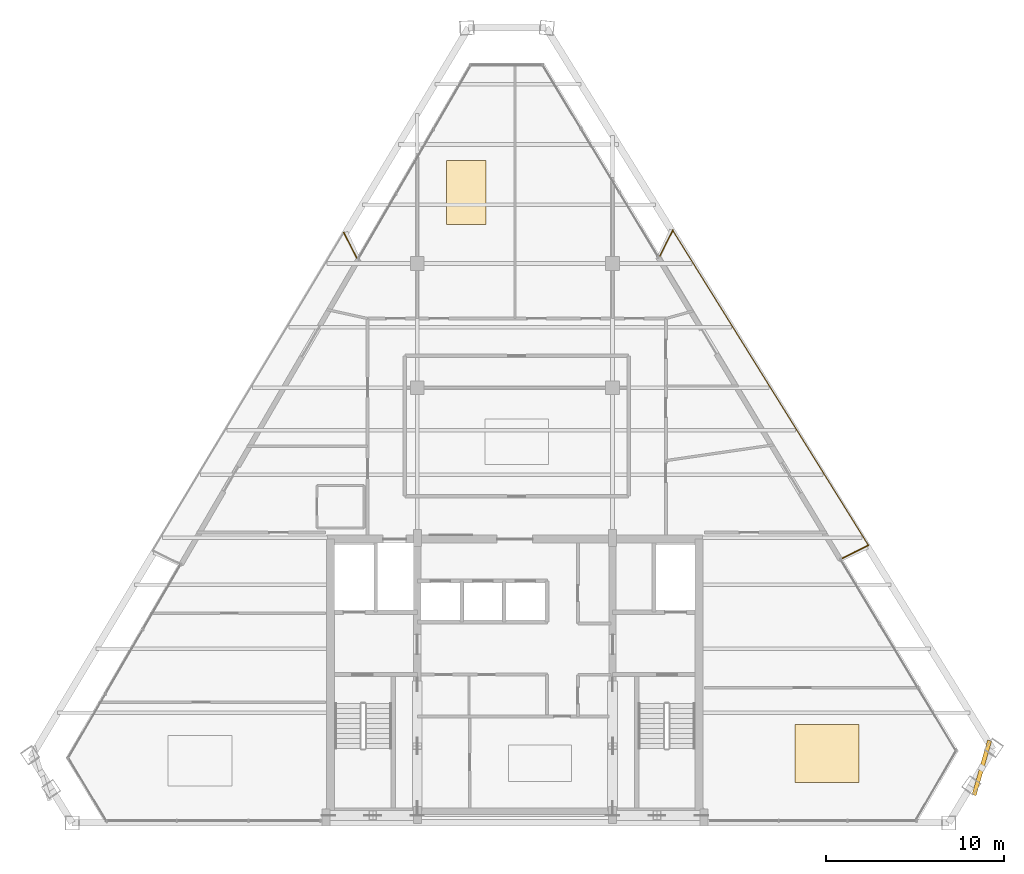
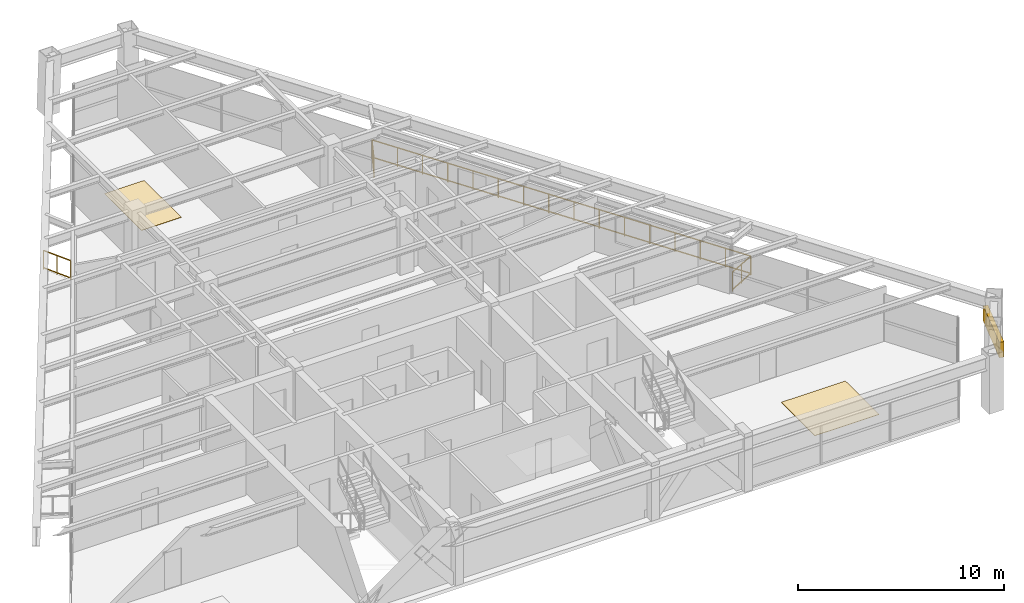
# One storey, part 13 of 13: 4 railings, 2 coverings, 1 shading device.
"""IFC4 building model written with IfcOpenShell, lengths in metres."""

import ifcopenshell
import ifcopenshell.guid

model = None  # the IFC model being written
_history = None  # IfcOwnerHistory: only IFC2X3 demands one
_inside = {}  # id of a spatial element -> (the spatial element, [elements in it])
_under = {}  # id of a project, library or spatial element -> (it, [spatial elements below it])
_declared = {}  # id of a project -> (the project, [libraries it declares])
_typed = {}  # id of a type object -> (the type object, [elements of that type])
_made_of = {}  # id of a material, layer set ... -> (it, [elements and type objects made of it])


def new_model(schema):
    """Start an empty IFC model of exactly this schema.

    Asked for "IFC4X3", IfcOpenShell would pick the latest addendum, in which some entities
    have other attributes; the version numbers below select the first issue.
    IFC2X3 requires an IfcOwnerHistory on every rooted entity: one is made here for all.
    """
    global model, _history
    if schema == "IFC4X3":
        model = ifcopenshell.file(schema_version=(4, 3, 0, 0))
    else:
        model = ifcopenshell.file(schema=schema)
    _inside.clear()
    _under.clear()
    _declared.clear()
    _typed.clear()
    _made_of.clear()
    _history = None
    if model.schema == "IFC2X3":
        org = make("IfcOrganization", Name="unknown")
        user = make(
            "IfcPersonAndOrganization",
            ThePerson=make("IfcPerson", FamilyName="unknown"),
            TheOrganization=org,
        )
        app = make(
            "IfcApplication",
            ApplicationDeveloper=org,
            Version="unknown",
            ApplicationFullName="unknown",
            ApplicationIdentifier="unknown",
        )
        _history = make(
            "IfcOwnerHistory",
            OwningUser=user,
            OwningApplication=app,
            ChangeAction="ADDED",
            CreationDate=0,
        )
    return model


def make(cls, **values):
    """One entity of the class cls with the attributes given. An attribute that is None is left unset."""
    return model.create_entity(
        cls, **{name: value for name, value in values.items() if value is not None}
    )


def rooted(cls, **values):
    """An entity with a GlobalId (a new one), such as an element, a storey or a relation."""
    return make(cls, GlobalId=ifcopenshell.guid.new(), OwnerHistory=_history, **values)


def si_unit(unit_type, name, prefix=None):
    """IfcSIUnit, for example si_unit("LENGTHUNIT", "METRE", prefix="MILLI")."""
    return make("IfcSIUnit", UnitType=unit_type, Prefix=prefix, Name=name)


def assignment(units):
    """IfcUnitAssignment: the units of a project."""
    return None if units is None else make("IfcUnitAssignment", Units=units)


def point(xyz):
    """IfcCartesianPoint."""
    return None if xyz is None else make("IfcCartesianPoint", Coordinates=xyz)


def direction(xyz):
    """IfcDirection."""
    return None if xyz is None else make("IfcDirection", DirectionRatios=xyz)


def frame(location, z_axis=None, x_axis=None):
    """IfcAxis2Placement3D, a coordinate frame: its origin and axes. An axis left out is left unset."""
    return make(
        "IfcAxis2Placement3D",
        Location=point(location),
        Axis=direction(z_axis),
        RefDirection=direction(x_axis),
    )


def frame_2d(location, x_axis=None):
    """IfcAxis2Placement2D, a coordinate frame in the plane: its origin and x axis."""
    return make(
        "IfcAxis2Placement2D", Location=point(location), RefDirection=direction(x_axis)
    )


def origin():
    """The frame at (0, 0, 0) with its axes left unset."""
    return frame((0.0, 0.0, 0.0))


def origin_2d():
    """The frame at (0, 0) in the plane with its x axis left unset."""
    return frame_2d((0.0, 0.0))


def place(relative_to, where):
    """IfcLocalPlacement: puts the frame where relative to a parent placement (None: the world)."""
    return make(
        "IfcLocalPlacement", PlacementRelTo=relative_to, RelativePlacement=where
    )


def context(
    kind, dimensions, precision=None, world=None, true_north=None, identifier=None
):
    """IfcGeometricRepresentationContext, for example the 3D "Model" context."""
    return make(
        "IfcGeometricRepresentationContext",
        ContextIdentifier=identifier,
        ContextType=kind,
        CoordinateSpaceDimension=dimensions,
        Precision=precision,
        WorldCoordinateSystem=world,
        TrueNorth=true_north,
    )


def subcontext(parent, identifier, kind, view, scale=None):
    """IfcGeometricRepresentationSubContext, for example "Body" below "Model"."""
    return make(
        "IfcGeometricRepresentationSubContext",
        ContextIdentifier=identifier,
        ContextType=kind,
        ParentContext=parent,
        TargetScale=scale,
        TargetView=view,
    )


def project(units=None, contexts=None):
    """IfcProject with its units and contexts."""
    return rooted(
        "IfcProject",
        Name="project",
        RepresentationContexts=contexts,
        UnitsInContext=assignment(units),
    )


def spatial(cls, under=None, at=None, **own):
    """A site, building, storey or space (cls), placed at a placement, below another one or the project."""
    s = rooted(cls, ObjectPlacement=at, **own)
    if under is not None:
        _under.setdefault(under.id(), (under, []))[1].append(s)
    return s


def profile(cls, at=None, kind="AREA", **sizes):
    """A parametric profile (cls). Its sizes go by their IFC names, for example OverallWidth=200.0."""
    return make(cls, ProfileType=kind, Position=at, **sizes)


def rectangle(**sizes):
    """IfcRectangleProfileDef."""
    return profile("IfcRectangleProfileDef", **sizes)


def extrude(swept, where, along, depth):
    """IfcExtrudedAreaSolid: the profile swept, set in the frame where, extruded along a direction by depth."""
    return make(
        "IfcExtrudedAreaSolid",
        SweptArea=swept,
        Position=where,
        ExtrudedDirection=direction(along),
        Depth=depth,
    )


def shape(context_of_items, identifier, shape_type, items):
    """IfcShapeRepresentation: the items that make up one representation, for example the "Body"."""
    return make(
        "IfcShapeRepresentation",
        ContextOfItems=context_of_items,
        RepresentationIdentifier=identifier,
        RepresentationType=shape_type,
        Items=items,
    )


def source(mapping_origin, context_of_items, identifier, shape_type, items):
    """IfcRepresentationMap: a shape defined once, which mapped items show again and again."""
    return make(
        "IfcRepresentationMap",
        MappingOrigin=mapping_origin,
        MappedRepresentation=shape(context_of_items, identifier, shape_type, items),
    )


def transform(
    local_origin,
    x_axis=None,
    y_axis=None,
    z_axis=None,
    scale=None,
    scale2=None,
    scale3=None,
    uniform=True,
):
    """IfcCartesianTransformationOperator3D, or its non-uniform kind. x_axis, y_axis, z_axis: its Axis1, 2, 3."""
    if uniform:
        return make(
            "IfcCartesianTransformationOperator3D",
            Axis1=direction(x_axis),
            Axis2=direction(y_axis),
            LocalOrigin=point(local_origin),
            Scale=scale,
            Axis3=direction(z_axis),
        )
    return make(
        "IfcCartesianTransformationOperator3DnonUniform",
        Axis1=direction(x_axis),
        Axis2=direction(y_axis),
        LocalOrigin=point(local_origin),
        Scale=scale,
        Axis3=direction(z_axis),
        Scale2=scale2,
        Scale3=scale3,
    )


def mapped(mapping_source, mapping_target):
    """IfcMappedItem: shows the shape of a source again, moved by a transform."""
    return make(
        "IfcMappedItem", MappingSource=mapping_source, MappingTarget=mapping_target
    )


def material(Name=None, Category=None):
    """IfcMaterial."""
    return make("IfcMaterial", Name=Name, Category=Category)


def layer(
    of_material, thickness, ventilated=None, Name=None, Category=None, Priority=None
):
    """IfcMaterialLayer: one layer of a wall or slab, of a material (None: an air gap)."""
    return make(
        "IfcMaterialLayer",
        Material=of_material,
        LayerThickness=thickness,
        IsVentilated=ventilated,
        Name=Name,
        Category=Category,
        Priority=Priority,
    )


def layer_set(layers, Name=None):
    """IfcMaterialLayerSet."""
    return make("IfcMaterialLayerSet", MaterialLayers=layers, LayerSetName=Name)


def made_of(thing, what):
    """Note that an element or type object is made of a material, layer set ...; save() writes the relation."""
    if what is not None:
        _made_of.setdefault(what.id(), (what, []))[1].append(thing)
    return thing


def type_object(cls, material=None, **own):
    """A type object (cls), such as IfcWallType, which elements share."""
    return made_of(rooted(cls, **own), material)


def type_shapes(of_type, sources):
    """Give a type object the sources (RepresentationMaps) that its elements show as mapped items."""
    of_type.RepresentationMaps = sources


def element(
    cls,
    number,
    at=None,
    inside=None,
    cuts=None,
    type_object=None,
    material=None,
    context=None,
    identifier="Body",
    shape_type=None,
    held_by="IfcProductDefinitionShape",
    body=None,
    shapes=None,
    **own,
):
    """One element of the class cls, such as IfcWall. Its Tag is "e" and its number.

    at: its placement. inside: the storey or other place that contains it. cuts: it is an
    opening in that element (IfcRelVoidsElement). A single representation is given by context,
    identifier, shape_type and body (its items); several are given by shapes. held_by: the class
    of the entity that holds the representations. save() writes the other relations.
    """
    e = rooted(cls, Tag="e%d" % number, ObjectPlacement=at, **own)
    if body is not None:
        shapes = [shape(context, identifier, shape_type, body)]
    if shapes is not None:
        e.Representation = make(held_by, Representations=shapes)
    if inside is not None:
        _inside.setdefault(inside.id(), (inside, []))[1].append(e)
    if cuts is not None:
        rooted(
            "IfcRelVoidsElement", RelatingBuildingElement=cuts, RelatedOpeningElement=e
        )
    if type_object is not None:
        _typed.setdefault(type_object.id(), (type_object, []))[1].append(e)
    return made_of(e, material)


def aggregate(whole, parts):
    """IfcRelAggregates: a whole, such as a stair, and the parts it consists of."""
    return rooted("IfcRelAggregates", RelatingObject=whole, RelatedObjects=parts)


def save(model, path):
    """Write the relations noted so far, then the file.

    IfcRelAggregates (storeys below a building ...), IfcRelContainedInSpatialStructure (elements
    in a storey), IfcRelDefinesByType, IfcRelAssociatesMaterial and IfcRelDeclares: one each for
    every whole, place, type object, material and project.
    """
    for whole, parts in _under.values():
        aggregate(whole, parts)
    for where, things in _inside.values():
        rooted(
            "IfcRelContainedInSpatialStructure",
            RelatedElements=things,
            RelatingStructure=where,
        )
    for kind, things in _typed.values():
        rooted("IfcRelDefinesByType", RelatedObjects=things, RelatingType=kind)
    for what, things in _made_of.values():
        rooted("IfcRelAssociatesMaterial", RelatedObjects=things, RelatingMaterial=what)
    for by, libraries in _declared.values():
        rooted("IfcRelDeclares", RelatingContext=by, RelatedDefinitions=libraries)
    model.write(path)


model = new_model("IFC4")

# Units and contexts
model_context = context("Model", 3, precision=1e-05, world=origin(), true_north=direction((0.0, 1.0)))
body_context = subcontext(model_context, "Body", "Model", "MODEL_VIEW")
ifc_project = project(units=[si_unit("LENGTHUNIT", "METRE"), si_unit("AREAUNIT", "SQUARE_METRE"), si_unit("VOLUMEUNIT", "CUBIC_METRE"), si_unit("PLANEANGLEUNIT", "RADIAN"), si_unit("MASSUNIT", "GRAM", prefix="KILO")], contexts=[model_context])

# Site, building, storey
site_placement = place(None, origin())
site = spatial("IfcSite", under=ifc_project, at=site_placement, CompositionType="ELEMENT")
building_placement = place(site_placement, origin())
building = spatial("IfcBuilding", under=site, at=building_placement, Name="Varnakhor Terracotta Tower", CompositionType="ELEMENT")
storey_placement = place(building_placement, frame((0.0, 0.0, 262.64990234375)))
storey = spatial("IfcBuildingStorey", under=building, at=storey_placement, Name="L68", CompositionType="ELEMENT", Elevation=262.64990234375)

# Railings
ifc_material_1 = material(Name="Stainless Steel & Laminated Glass Guardrail", Category="steel")
railing_type = type_object("IfcRailingType", Name="RLG-LOGGIA-GUARD-1150", PredefinedType="GUARDRAIL", material=ifc_material_1)
railing_1_placement = place(storey_placement, frame((8.17041015625, 31.9375, 0.0)))
element("IfcRailing", 1, at=railing_1_placement, inside=storey, type_object=railing_type, Name="L68 E Loggia Glass Guard 1", PredefinedType="GUARDRAIL", context=body_context, shape_type="SweptSolid", body=[
    extrude(rectangle(XDim=0.048095703125, YDim=0.048095703125, at=origin_2d()), frame((0.0, 0.0, 1.1259765625), z_axis=(0.445438911947, 0.895312334174, 0.0), x_axis=(-0.895312334174, 0.445438911947, 0.0)), (0.0, 0.0, 1.0), 1.5966796875),
    extrude(rectangle(XDim=0.048095703125, YDim=0.048095703125, at=origin_2d()), frame((0.0, 0.0, 0.10009765625), z_axis=(0.445438911947, 0.895312334174, 0.0), x_axis=(-0.895312334174, 0.445438911947, 0.0)), (0.0, 0.0, 1.0), 1.5966796875),
    extrude(rectangle(XDim=0.0419921875, YDim=0.0419921875, at=origin_2d()), origin(), (0.0, 0.0, 1.0), 1.101806640625),
    extrude(rectangle(XDim=0.0419921875, YDim=0.0419921875, at=origin_2d()), frame((0.35546875, 0.71484375, 0.0)), (0.0, 0.0, 1.0), 1.101806640625),
    extrude(rectangle(XDim=0.0419921875, YDim=0.0419921875, at=origin_2d()), frame((0.711181640625, 1.429443359375, 0.0)), (0.0, 0.0, 1.0), 1.101806640625),
])
railing_2_placement = place(storey_placement, frame((8.881591796875, 33.366943359375, 0.0)))
element("IfcRailing", 2, at=railing_2_placement, inside=storey, type_object=railing_type, Name="L68 E Loggia Glass Guard 2", PredefinedType="GUARDRAIL", context=body_context, shape_type="SweptSolid", body=[
    extrude(rectangle(XDim=0.048095703125, YDim=0.048095703125, at=origin_2d()), frame((0.0, 0.0, 1.1259765625), z_axis=(0.527764013881, -0.849391044015, 0.0), x_axis=(0.849391044015, 0.527764013881, 0.0)), (0.0, 0.0, 1.0), 20.873291015625),
    extrude(rectangle(XDim=0.048095703125, YDim=0.048095703125, at=origin_2d()), frame((0.0, 0.0, 0.10009765625), z_axis=(0.527764013881, -0.849391044015, 0.0), x_axis=(0.849391044015, 0.527764013881, 0.0)), (0.0, 0.0, 1.0), 20.873291015625),
    extrude(rectangle(XDim=0.0419921875, YDim=0.0419921875, at=origin_2d()), origin(), (0.0, 0.0, 1.0), 1.101806640625),
    extrude(rectangle(XDim=0.0419921875, YDim=0.0419921875, at=origin_2d()), frame((0.734375, -1.181884765625, 0.0)), (0.0, 0.0, 1.0), 1.101806640625),
    extrude(rectangle(XDim=0.0419921875, YDim=0.0419921875, at=origin_2d()), frame((1.46875, -2.364013671875, 0.0)), (0.0, 0.0, 1.0), 1.101806640625),
    extrude(rectangle(XDim=0.0419921875, YDim=0.0419921875, at=origin_2d()), frame((2.203125, -3.5458984375, 0.0)), (0.0, 0.0, 1.0), 1.101806640625),
    extrude(rectangle(XDim=0.0419921875, YDim=0.0419921875, at=origin_2d()), frame((2.937744140625, -4.727783203125, 0.0)), (0.0, 0.0, 1.0), 1.101806640625),
    extrude(rectangle(XDim=0.0419921875, YDim=0.0419921875, at=origin_2d()), frame((3.672119140625, -5.909912109375, 0.0)), (0.0, 0.0, 1.0), 1.101806640625),
    extrude(rectangle(XDim=0.0419921875, YDim=0.0419921875, at=origin_2d()), frame((4.406494140625, -7.091796875, 0.0)), (0.0, 0.0, 1.0), 1.101806640625),
    extrude(rectangle(XDim=0.0419921875, YDim=0.0419921875, at=origin_2d()), frame((5.140869140625, -8.273681640625, 0.0)), (0.0, 0.0, 1.0), 1.101806640625),
    extrude(rectangle(XDim=0.0419921875, YDim=0.0419921875, at=origin_2d()), frame((5.875244140625, -9.455810546875, 0.0)), (0.0, 0.0, 1.0), 1.101806640625),
    extrude(rectangle(XDim=0.0419921875, YDim=0.0419921875, at=origin_2d()), frame((6.609619140625, -10.6376953125, 0.0)), (0.0, 0.0, 1.0), 1.101806640625),
    extrude(rectangle(XDim=0.0419921875, YDim=0.0419921875, at=origin_2d()), frame((7.343994140625, -11.819580078125, 0.0)), (0.0, 0.0, 1.0), 1.101806640625),
    extrude(rectangle(XDim=0.0419921875, YDim=0.0419921875, at=origin_2d()), frame((8.078369140625, -13.001708984375, 0.0)), (0.0, 0.0, 1.0), 1.101806640625),
    extrude(rectangle(XDim=0.0419921875, YDim=0.0419921875, at=origin_2d()), frame((8.81298828125, -14.18359375, 0.0)), (0.0, 0.0, 1.0), 1.101806640625),
    extrude(rectangle(XDim=0.0419921875, YDim=0.0419921875, at=origin_2d()), frame((9.54736328125, -15.365478515625, 0.0)), (0.0, 0.0, 1.0), 1.101806640625),
    extrude(rectangle(XDim=0.0419921875, YDim=0.0419921875, at=origin_2d()), frame((10.28173828125, -16.547607421875, 0.0)), (0.0, 0.0, 1.0), 1.101806640625),
    extrude(rectangle(XDim=0.0419921875, YDim=0.0419921875, at=origin_2d()), frame((11.01611328125, -17.7294921875, 0.0)), (0.0, 0.0, 1.0), 1.101806640625),
])
railing_3_placement = place(storey_placement, frame((19.897705078125, 15.637451171875, 0.0)))
element("IfcRailing", 3, at=railing_3_placement, inside=storey, type_object=railing_type, Name="L68 E Loggia Glass Guard 3", PredefinedType="GUARDRAIL", context=body_context, shape_type="SweptSolid", body=[
    extrude(rectangle(XDim=0.048095703125, YDim=0.048095703125, at=origin_2d()), frame((0.0, 0.0, 1.1259765625), z_axis=(-0.891600889098, -0.452822100344, 0.0), x_axis=(0.452822100344, -0.891600889098, 0.0)), (0.0, 0.0, 1.0), 1.63427734375),
    extrude(rectangle(XDim=0.048095703125, YDim=0.048095703125, at=origin_2d()), frame((0.0, 0.0, 0.10009765625), z_axis=(-0.891600889098, -0.452822100344, 0.0), x_axis=(0.452822100344, -0.891600889098, 0.0)), (0.0, 0.0, 1.0), 1.63427734375),
    extrude(rectangle(XDim=0.0419921875, YDim=0.0419921875, at=origin_2d()), origin(), (0.0, 0.0, 1.0), 1.101806640625),
    extrude(rectangle(XDim=0.0419921875, YDim=0.0419921875, at=origin_2d()), frame((-0.728515625, -0.3701171875, 0.0)), (0.0, 0.0, 1.0), 1.101806640625),
    extrude(rectangle(XDim=0.0419921875, YDim=0.0419921875, at=origin_2d()), frame((-1.45703125, -0.739990234375, 0.0)), (0.0, 0.0, 1.0), 1.101806640625),
])
railing_4_placement = place(storey_placement, frame((-9.63671875, 33.251953125, 0.0)))
element("IfcRailing", 4, at=railing_4_placement, inside=storey, type_object=railing_type, Name="L68 W Loggia Glass Guard 3", PredefinedType="GUARDRAIL", context=body_context, shape_type="SweptSolid", body=[
    extrude(rectangle(XDim=0.048095703125, YDim=0.048095703125, at=origin_2d()), frame((0.0, 0.0, 1.1259765625), z_axis=(0.449111969264, -0.893475483191, 0.0), x_axis=(0.893475483191, 0.449111969264, 0.0)), (0.0, 0.0, 1.0), 1.59375),
    extrude(rectangle(XDim=0.048095703125, YDim=0.048095703125, at=origin_2d()), frame((0.0, 0.0, 0.10009765625), z_axis=(0.449111969264, -0.893475483191, 0.0), x_axis=(0.893475483191, 0.449111969264, 0.0)), (0.0, 0.0, 1.0), 1.59375),
    extrude(rectangle(XDim=0.0419921875, YDim=0.0419921875, at=origin_2d()), origin(), (0.0, 0.0, 1.0), 1.101806640625),
    extrude(rectangle(XDim=0.0419921875, YDim=0.0419921875, at=origin_2d()), frame((0.35791015625, -0.7119140625, 0.0)), (0.0, 0.0, 1.0), 1.101806640625),
    extrude(rectangle(XDim=0.0419921875, YDim=0.0419921875, at=origin_2d()), frame((0.7158203125, -1.424072265625, 0.0)), (0.0, 0.0, 1.0), 1.101806640625),
])

# Shading device
ifc_material_2 = material(Name="Extruded Architectural Terracotta Screen", Category="masonry")
shading_device_type = type_object("IfcShadingDeviceType", Name="TERRACOTTA SOLAR SCREEN E", PredefinedType="USERDEFINED", material=ifc_material_2)
shared_shape_1 = source(origin(), body_context, "Body", "SweptSolid", [
    extrude(rectangle(XDim=3.199951171875, YDim=0.239990234375, at=origin_2d()), origin(), (0.0, 0.0, 1.0), 0.919921875),
])
type_shapes(shading_device_type, [shared_shape_1])
shading_device_placement = place(storey_placement, frame((26.289794921875, 3.099609375, 1.562255859375), z_axis=(0.0, 0.0, 1.0), x_axis=(0.274932640198, 0.96146349039, 0.0)))
element("IfcShadingDevice", 5, at=shading_device_placement, inside=storey, type_object=shading_device_type, Name="L68 E Terracotta Solar Screen", ObjectType="SCREEN", PredefinedType="USERDEFINED", context=body_context, shape_type="MappedRepresentation", body=[
    mapped(shared_shape_1, transform((0.0, 0.0, 0.0), scale=1.0)),
])

# Coverings
ifc_material_3 = material(Name="Honed Riyadh Limestone Flooring", Category="masonry")
ifc_layer = layer(ifc_material_3, 0.030029296875, Name="Honed Riyadh Limestone Flooring")
ifc_layer_set = layer_set([ifc_layer], Name="Honed Riyadh Limestone Flooring")
covering_type = type_object("IfcCoveringType", Name="COV-FLOOR-LIMESTONE", PredefinedType="FLOORING", material=ifc_layer_set)
shared_shape_2 = source(origin(), body_context, "Body", "SweptSolid", [
    extrude(rectangle(XDim=3.60009765625, YDim=3.27197265625, at=origin_2d()), origin(), (0.0, 0.0, 1.0), 0.02001953125),
])
covering_1_placement = place(storey_placement, frame((17.5830078125, 3.904052734375, 0.0), z_axis=(0.0, 0.0, 1.0), x_axis=(1.0, 0.0, 0.0)))
element("IfcCovering", 6, at=covering_1_placement, inside=storey, type_object=covering_type, Name="L68 Honed Stone Flooring 3", PredefinedType="FLOORING", context=body_context, shape_type="MappedRepresentation", body=[
    mapped(shared_shape_2, transform((0.0, 0.0, 0.0), scale=1.0)),
])
shared_shape_3 = source(origin(), body_context, "Body", "SweptSolid", [
    extrude(rectangle(XDim=2.23193359375, YDim=3.60009765625, at=origin_2d()), origin(), (0.0, 0.0, 1.0), 0.02001953125),
])
covering_2_placement = place(storey_placement, frame((-2.75, 35.5, 0.0), z_axis=(0.0, 0.0, 1.0), x_axis=(1.0, 0.0, 0.0)))
element("IfcCovering", 7, at=covering_2_placement, inside=storey, type_object=covering_type, Name="L68 Honed Stone Flooring 5", PredefinedType="FLOORING", context=body_context, shape_type="MappedRepresentation", body=[
    mapped(shared_shape_3, transform((0.0, 0.0, 0.0), scale=1.0)),
])

save(model, "model.ifc")
